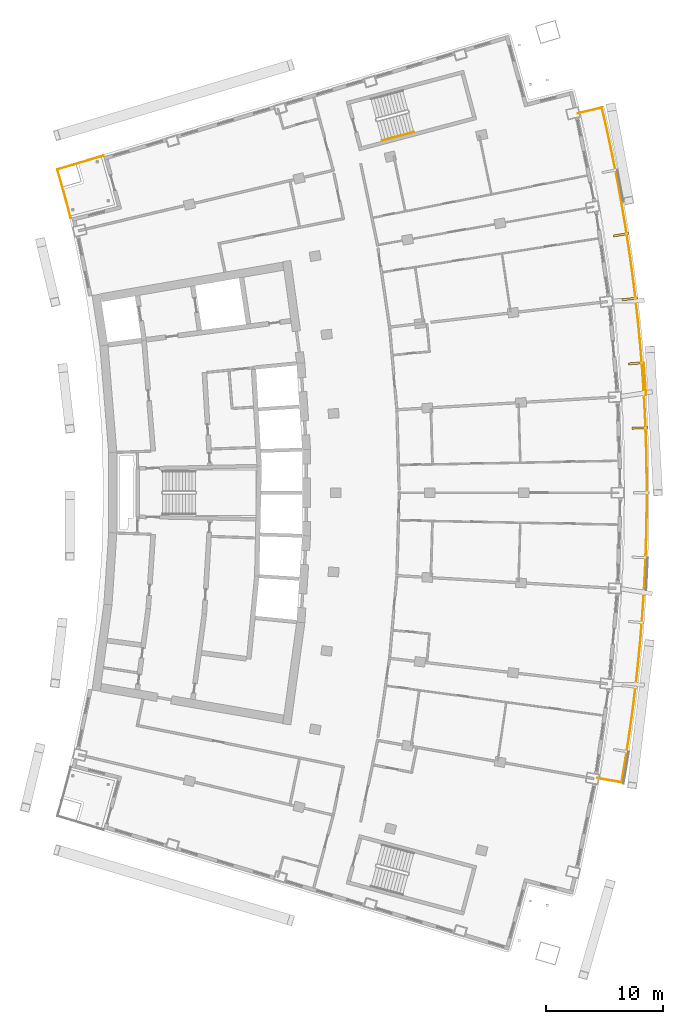
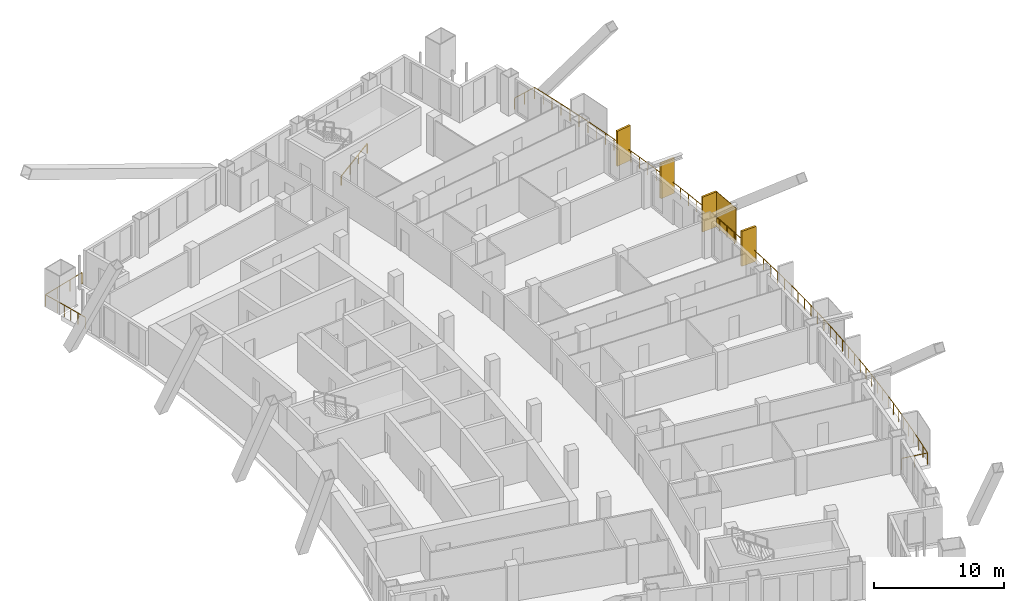
# One storey, part 19 of 20: 5 shading devices, 3 railings.
"""IFC4 building model written with IfcOpenShell, lengths in metres."""

from ifc_helpers import new_model, si_unit, direction, frame, origin, origin_2d, place, context, subcontext, project, spatial, rectangle, extrude, material, layer, layer_set, type_object, element, save


model = new_model("IFC4")

# Units and contexts
model_context = context("Model", 3, precision=1e-05, world=origin(), true_north=direction((0.0, 1.0)))
body_context = subcontext(model_context, "Body", "Model", "MODEL_VIEW")
ifc_project = project(units=[si_unit("LENGTHUNIT", "METRE"), si_unit("AREAUNIT", "SQUARE_METRE"), si_unit("VOLUMEUNIT", "CUBIC_METRE"), si_unit("PLANEANGLEUNIT", "RADIAN"), si_unit("MASSUNIT", "GRAM", prefix="KILO")], contexts=[model_context])

# Site, building, storey
site_placement = place(None, origin())
site = spatial("IfcSite", under=ifc_project, at=site_placement, CompositionType="ELEMENT")
building_placement = place(site_placement, origin())
building = spatial("IfcBuilding", under=site, at=building_placement, Name="Alderwake Tower", CompositionType="ELEMENT")
storey_placement = place(building_placement, frame((0.0, 0.0, 149.60009765625)))
storey = spatial("IfcBuildingStorey", under=building, at=storey_placement, Name="L36", CompositionType="ELEMENT", Elevation=149.60009765625)

# Railings
ifc_material_1 = material(Name="Stainless steel 316 rail and posts", Category="steel")
railing_type_1 = type_object("IfcRailingType", Name="Balcony guard 1100", PredefinedType="GUARDRAIL", material=ifc_material_1)
railing_1_placement = place(storey_placement, frame((58.07568359375, 36.68701171875, 0.0)))
element("IfcRailing", 1, at=railing_1_placement, inside=storey, type_object=railing_type_1, Name="Guard BF04", PredefinedType="GUARDRAIL", context=body_context, shape_type="SweptSolid", body=[
    extrude(rectangle(XDim=0.048095703125, YDim=0.048095703125, at=origin_2d()), frame((0.0, 0.0, 1.076171875), z_axis=(0.984864202872, -0.173327729755, 0.0), x_axis=(0.173327729755, 0.984864202872, 0.0)), (0.0, 0.0, 1.0), 2.10009765625),
    extrude(rectangle(XDim=0.048095703125, YDim=0.048095703125, at=origin_2d()), frame((2.068359375, -0.364013671875, 1.076171875), z_axis=(0.166503332241, 0.986040891826, 0.0), x_axis=(-0.986040891826, 0.166503332241, 0.0)), (0.0, 0.0, 1.0), 1.97509765625),
    extrude(rectangle(XDim=0.048095703125, YDim=0.048095703125, at=origin_2d()), frame((2.397216796875, 1.58349609375, 1.076171875), z_axis=(0.152596463053, 0.988288581065, 0.0), x_axis=(-0.988288581065, 0.152596463053, 0.0)), (0.0, 0.0, 1.0), 2.0751953125),
    extrude(rectangle(XDim=0.048095703125, YDim=0.048095703125, at=origin_2d()), frame((2.7138671875, 3.63427734375, 1.076171875), z_axis=(0.138110156817, 0.990416874141, 0.0), x_axis=(-0.990416874141, 0.138110156817, 0.0)), (0.0, 0.0, 1.0), 2.0751953125),
    extrude(rectangle(XDim=0.048095703125, YDim=0.048095703125, at=origin_2d()), frame((3.00048828125, 5.689697265625, 1.076171875), z_axis=(0.123643785087, 0.992326667186, 0.0), x_axis=(-0.992326667186, 0.123643785087, 0.0)), (0.0, 0.0, 1.0), 2.0751953125),
    extrude(rectangle(XDim=0.048095703125, YDim=0.048095703125, at=origin_2d()), frame((3.257080078125, 7.7490234375, 1.076171875), z_axis=(0.109062650224, 0.994034877822, 0.0), x_axis=(-0.994034877822, 0.109062650224, 0.0)), (0.0, 0.0, 1.0), 2.0751953125),
    extrude(rectangle(XDim=0.048095703125, YDim=0.048095703125, at=origin_2d()), frame((3.4833984375, 9.811767578125, 1.076171875), z_axis=(0.094703608838, 0.99550551303, 0.0), x_axis=(-0.99550551303, 0.094703608838, 0.0)), (0.0, 0.0, 1.0), 2.0751953125),
    extrude(rectangle(XDim=0.048095703125, YDim=0.048095703125, at=origin_2d()), frame((3.679931640625, 11.877685546875, 1.076171875), z_axis=(0.080114603316, 0.996785659174, 0.0), x_axis=(-0.996785659174, 0.080114603316, 0.0)), (0.0, 0.0, 1.0), 2.0751953125),
    extrude(rectangle(XDim=0.048095703125, YDim=0.048095703125, at=origin_2d()), frame((3.84619140625, 13.9462890625, 1.076171875), z_axis=(0.065652181711, 0.997842568262, 0.0), x_axis=(-0.997842568262, 0.065652181711, 0.0)), (0.0, 0.0, 1.0), 2.074951171875),
    extrude(rectangle(XDim=0.048095703125, YDim=0.048095703125, at=origin_2d()), frame((3.982421875, 16.016845703125, 1.076171875), z_axis=(0.050940961426, 0.998701666389, 0.0), x_axis=(-0.998701666389, 0.050940961426, 0.0)), (0.0, 0.0, 1.0), 2.0751953125),
    extrude(rectangle(XDim=0.048095703125, YDim=0.048095703125, at=origin_2d()), frame((4.088134765625, 18.08935546875, 1.076171875), z_axis=(0.03647206835, 0.999334672785, 0.0), x_axis=(-0.999334672785, 0.03647206835, 0.0)), (0.0, 0.0, 1.0), 2.0751953125),
    extrude(rectangle(XDim=0.048095703125, YDim=0.048095703125, at=origin_2d()), frame((4.163818359375, 20.1630859375, 1.076171875), z_axis=(0.021882262081, 0.999760554636, 0.0), x_axis=(-0.999760554636, 0.021882262081, 0.0)), (0.0, 0.0, 1.0), 2.0751953125),
    extrude(rectangle(XDim=0.048095703125, YDim=0.048095703125, at=origin_2d()), frame((4.209228515625, 22.23779296875, 1.076171875), z_axis=(0.007293923616, 0.999973398985, 0.0), x_axis=(-0.999973398985, 0.007293923616, 0.0)), (0.0, 0.0, 1.0), 2.0751953125),
    extrude(rectangle(XDim=0.048095703125, YDim=0.048095703125, at=origin_2d()), frame((4.224365234375, 24.31298828125, 1.076171875), z_axis=(-0.007293923616, 0.999973398985, 0.0), x_axis=(-0.999973398985, -0.007293923616, 0.0)), (0.0, 0.0, 1.0), 2.0751953125),
    extrude(rectangle(XDim=0.048095703125, YDim=0.048095703125, at=origin_2d()), frame((4.209228515625, 26.38818359375, 1.076171875), z_axis=(-0.021882262081, 0.999760554636, 0.0), x_axis=(-0.999760554636, -0.021882262081, 0.0)), (0.0, 0.0, 1.0), 2.0751953125),
    extrude(rectangle(XDim=0.048095703125, YDim=0.048095703125, at=origin_2d()), frame((4.163818359375, 28.462890625, 1.076171875), z_axis=(-0.03647206835, 0.999334672785, 0.0), x_axis=(-0.999334672785, -0.03647206835, 0.0)), (0.0, 0.0, 1.0), 2.0751953125),
    extrude(rectangle(XDim=0.048095703125, YDim=0.048095703125, at=origin_2d()), frame((4.088134765625, 30.53662109375, 1.076171875), z_axis=(-0.050940961426, 0.998701666389, 0.0), x_axis=(-0.998701666389, -0.050940961426, 0.0)), (0.0, 0.0, 1.0), 2.0751953125),
    extrude(rectangle(XDim=0.048095703125, YDim=0.048095703125, at=origin_2d()), frame((3.982421875, 32.609130859375, 1.076171875), z_axis=(-0.065652181711, 0.997842568262, 0.0), x_axis=(-0.997842568262, -0.065652181711, 0.0)), (0.0, 0.0, 1.0), 2.074951171875),
    extrude(rectangle(XDim=0.048095703125, YDim=0.048095703125, at=origin_2d()), frame((3.84619140625, 34.6796875, 1.076171875), z_axis=(-0.080114603316, 0.996785659174, 0.0), x_axis=(-0.996785659174, -0.080114603316, 0.0)), (0.0, 0.0, 1.0), 2.0751953125),
    extrude(rectangle(XDim=0.048095703125, YDim=0.048095703125, at=origin_2d()), frame((3.679931640625, 36.748291015625, 1.076171875), z_axis=(-0.094703608838, 0.99550551303, 0.0), x_axis=(-0.99550551303, -0.094703608838, 0.0)), (0.0, 0.0, 1.0), 2.0751953125),
    extrude(rectangle(XDim=0.048095703125, YDim=0.048095703125, at=origin_2d()), frame((3.4833984375, 38.814208984375, 1.076171875), z_axis=(-0.109062650224, 0.994034877822, 0.0), x_axis=(-0.994034877822, -0.109062650224, 0.0)), (0.0, 0.0, 1.0), 2.0751953125),
    extrude(rectangle(XDim=0.048095703125, YDim=0.048095703125, at=origin_2d()), frame((3.257080078125, 40.876953125, 1.076171875), z_axis=(-0.123643785087, 0.992326667186, 0.0), x_axis=(-0.992326667186, -0.123643785087, 0.0)), (0.0, 0.0, 1.0), 2.0751953125),
    extrude(rectangle(XDim=0.048095703125, YDim=0.048095703125, at=origin_2d()), frame((3.00048828125, 42.936279296875, 1.076171875), z_axis=(-0.138110156817, 0.990416874141, 0.0), x_axis=(-0.990416874141, -0.138110156817, 0.0)), (0.0, 0.0, 1.0), 2.0751953125),
    extrude(rectangle(XDim=0.048095703125, YDim=0.048095703125, at=origin_2d()), frame((2.7138671875, 44.99169921875, 1.076171875), z_axis=(-0.152596463053, 0.988288581065, 0.0), x_axis=(-0.988288581065, -0.152596463053, 0.0)), (0.0, 0.0, 1.0), 2.0751953125),
    extrude(rectangle(XDim=0.048095703125, YDim=0.048095703125, at=origin_2d()), frame((2.397216796875, 47.04248046875, 1.076171875), z_axis=(-0.166821353244, 0.985987137899, 0.0), x_axis=(-0.985987137899, -0.166821353244, 0.0)), (0.0, 0.0, 1.0), 2.0751953125),
    extrude(rectangle(XDim=0.048095703125, YDim=0.048095703125, at=origin_2d()), frame((2.051025390625, 49.088623046875, 1.076171875), z_axis=(-0.181297176514, 0.983428357222, 0.0), x_axis=(-0.983428357222, -0.181297176514, 0.0)), (0.0, 0.0, 1.0), 2.0751953125),
    extrude(rectangle(XDim=0.048095703125, YDim=0.048095703125, at=origin_2d()), frame((1.6748046875, 51.12939453125, 1.076171875), z_axis=(-0.195641013677, 0.980675580285, 0.0), x_axis=(-0.980675580285, -0.195641013677, 0.0)), (0.0, 0.0, 1.0), 2.0751953125),
    extrude(rectangle(XDim=0.048095703125, YDim=0.048095703125, at=origin_2d()), frame((1.268798828125, 53.16455078125, 1.076171875), z_axis=(-0.20987454343, 0.97772832424, 0.0), x_axis=(-0.97772832424, -0.20987454343, 0.0)), (0.0, 0.0, 1.0), 2.0751953125),
    extrude(rectangle(XDim=0.048095703125, YDim=0.048095703125, at=origin_2d()), frame((0.833251953125, 55.193603515625, 1.076171875), z_axis=(-0.22384832601, 0.974623992595, 0.0), x_axis=(-0.974623992595, -0.22384832601, 0.0)), (0.0, 0.0, 1.0), 1.97509765625),
    extrude(rectangle(XDim=0.048095703125, YDim=0.048095703125, at=origin_2d()), frame((0.39111328125, 57.11865234375, 1.076171875), z_axis=(-0.97303154832, -0.230672074545, 0.0), x_axis=(0.230672074545, -0.97303154832, 0.0)), (0.0, 0.0, 1.0), 2.099853515625),
    extrude(rectangle(XDim=0.0419921875, YDim=0.0419921875, at=origin_2d()), frame((0.0, 0.0, 0.0), z_axis=(0.0, 0.0, 1.0), x_axis=(0.984864202872, -0.173327729755, 0.0)), (0.0, 0.0, 1.0), 1.052001953125),
    extrude(rectangle(XDim=0.0419921875, YDim=0.0419921875, at=origin_2d()), frame((1.0341796875, -0.18212890625, 0.0), z_axis=(0.0, 0.0, 1.0), x_axis=(0.984864202872, -0.173327729755, 0.0)), (0.0, 0.0, 1.0), 1.052001953125),
    extrude(rectangle(XDim=0.0419921875, YDim=0.0419921875, at=origin_2d()), frame((2.068359375, -0.364013671875, 0.0), z_axis=(0.0, 0.0, 1.0), x_axis=(0.166503332241, 0.986040891826, 0.0)), (0.0, 0.0, 1.0), 1.052001953125),
    extrude(rectangle(XDim=0.0419921875, YDim=0.0419921875, at=origin_2d()), frame((2.23291015625, 0.60986328125, 0.0), z_axis=(0.0, 0.0, 1.0), x_axis=(0.166503332241, 0.986040891826, 0.0)), (0.0, 0.0, 1.0), 1.052001953125),
    extrude(rectangle(XDim=0.0419921875, YDim=0.0419921875, at=origin_2d()), frame((2.397216796875, 1.58349609375, 0.0), z_axis=(0.0, 0.0, 1.0), x_axis=(0.152596463053, 0.988288581065, 0.0)), (0.0, 0.0, 1.0), 1.052001953125),
    extrude(rectangle(XDim=0.0419921875, YDim=0.0419921875, at=origin_2d()), frame((2.5556640625, 2.60888671875, 0.0), z_axis=(0.0, 0.0, 1.0), x_axis=(0.152596463053, 0.988288581065, 0.0)), (0.0, 0.0, 1.0), 1.052001953125),
    extrude(rectangle(XDim=0.0419921875, YDim=0.0419921875, at=origin_2d()), frame((2.7138671875, 3.63427734375, 0.0), z_axis=(0.0, 0.0, 1.0), x_axis=(0.138110156817, 0.990416874141, 0.0)), (0.0, 0.0, 1.0), 1.052001953125),
    extrude(rectangle(XDim=0.0419921875, YDim=0.0419921875, at=origin_2d()), frame((2.857177734375, 4.662109375, 0.0), z_axis=(0.0, 0.0, 1.0), x_axis=(0.138110156817, 0.990416874141, 0.0)), (0.0, 0.0, 1.0), 1.052001953125),
    extrude(rectangle(XDim=0.0419921875, YDim=0.0419921875, at=origin_2d()), frame((3.00048828125, 5.689697265625, 0.0), z_axis=(0.0, 0.0, 1.0), x_axis=(0.123643785087, 0.992326667186, 0.0)), (0.0, 0.0, 1.0), 1.052001953125),
    extrude(rectangle(XDim=0.0419921875, YDim=0.0419921875, at=origin_2d()), frame((3.12890625, 6.71923828125, 0.0), z_axis=(0.0, 0.0, 1.0), x_axis=(0.123643785087, 0.992326667186, 0.0)), (0.0, 0.0, 1.0), 1.052001953125),
    extrude(rectangle(XDim=0.0419921875, YDim=0.0419921875, at=origin_2d()), frame((3.257080078125, 7.7490234375, 0.0), z_axis=(0.0, 0.0, 1.0), x_axis=(0.109062650224, 0.994034877822, 0.0)), (0.0, 0.0, 1.0), 1.052001953125),
    extrude(rectangle(XDim=0.0419921875, YDim=0.0419921875, at=origin_2d()), frame((3.3701171875, 8.7802734375, 0.0), z_axis=(0.0, 0.0, 1.0), x_axis=(0.109062650224, 0.994034877822, 0.0)), (0.0, 0.0, 1.0), 1.052001953125),
    extrude(rectangle(XDim=0.0419921875, YDim=0.0419921875, at=origin_2d()), frame((3.4833984375, 9.811767578125, 0.0), z_axis=(0.0, 0.0, 1.0), x_axis=(0.094703608838, 0.99550551303, 0.0)), (0.0, 0.0, 1.0), 1.052001953125),
    extrude(rectangle(XDim=0.0419921875, YDim=0.0419921875, at=origin_2d()), frame((3.58154296875, 10.8447265625, 0.0), z_axis=(0.0, 0.0, 1.0), x_axis=(0.094703608838, 0.99550551303, 0.0)), (0.0, 0.0, 1.0), 1.052001953125),
    extrude(rectangle(XDim=0.0419921875, YDim=0.0419921875, at=origin_2d()), frame((3.679931640625, 11.877685546875, 0.0), z_axis=(0.0, 0.0, 1.0), x_axis=(0.080114603316, 0.996785659174, 0.0)), (0.0, 0.0, 1.0), 1.052001953125),
    extrude(rectangle(XDim=0.0419921875, YDim=0.0419921875, at=origin_2d()), frame((3.76318359375, 12.912109375, 0.0), z_axis=(0.0, 0.0, 1.0), x_axis=(0.080114603316, 0.996785659174, 0.0)), (0.0, 0.0, 1.0), 1.052001953125),
    extrude(rectangle(XDim=0.0419921875, YDim=0.0419921875, at=origin_2d()), frame((3.84619140625, 13.9462890625, 0.0), z_axis=(0.0, 0.0, 1.0), x_axis=(0.065652181711, 0.997842568262, 0.0)), (0.0, 0.0, 1.0), 1.052001953125),
    extrude(rectangle(XDim=0.0419921875, YDim=0.0419921875, at=origin_2d()), frame((3.914306640625, 14.9814453125, 0.0), z_axis=(0.0, 0.0, 1.0), x_axis=(0.065652181711, 0.997842568262, 0.0)), (0.0, 0.0, 1.0), 1.052001953125),
    extrude(rectangle(XDim=0.0419921875, YDim=0.0419921875, at=origin_2d()), frame((3.982421875, 16.016845703125, 0.0), z_axis=(0.0, 0.0, 1.0), x_axis=(0.050940961426, 0.998701666389, 0.0)), (0.0, 0.0, 1.0), 1.052001953125),
    extrude(rectangle(XDim=0.0419921875, YDim=0.0419921875, at=origin_2d()), frame((4.03515625, 17.05322265625, 0.0), z_axis=(0.0, 0.0, 1.0), x_axis=(0.050940961426, 0.998701666389, 0.0)), (0.0, 0.0, 1.0), 1.052001953125),
    extrude(rectangle(XDim=0.0419921875, YDim=0.0419921875, at=origin_2d()), frame((4.088134765625, 18.08935546875, 0.0), z_axis=(0.0, 0.0, 1.0), x_axis=(0.03647206835, 0.999334672785, 0.0)), (0.0, 0.0, 1.0), 1.052001953125),
    extrude(rectangle(XDim=0.0419921875, YDim=0.0419921875, at=origin_2d()), frame((4.1259765625, 19.126220703125, 0.0), z_axis=(0.0, 0.0, 1.0), x_axis=(0.03647206835, 0.999334672785, 0.0)), (0.0, 0.0, 1.0), 1.052001953125),
    extrude(rectangle(XDim=0.0419921875, YDim=0.0419921875, at=origin_2d()), frame((4.163818359375, 20.1630859375, 0.0), z_axis=(0.0, 0.0, 1.0), x_axis=(0.021882262081, 0.999760554636, 0.0)), (0.0, 0.0, 1.0), 1.052001953125),
    extrude(rectangle(XDim=0.0419921875, YDim=0.0419921875, at=origin_2d()), frame((4.1865234375, 21.200439453125, 0.0), z_axis=(0.0, 0.0, 1.0), x_axis=(0.021882262081, 0.999760554636, 0.0)), (0.0, 0.0, 1.0), 1.052001953125),
    extrude(rectangle(XDim=0.0419921875, YDim=0.0419921875, at=origin_2d()), frame((4.209228515625, 22.23779296875, 0.0), z_axis=(0.0, 0.0, 1.0), x_axis=(0.007293923616, 0.999973398985, 0.0)), (0.0, 0.0, 1.0), 1.052001953125),
    extrude(rectangle(XDim=0.0419921875, YDim=0.0419921875, at=origin_2d()), frame((4.216796875, 23.275390625, 0.0), z_axis=(0.0, 0.0, 1.0), x_axis=(0.007293923616, 0.999973398985, 0.0)), (0.0, 0.0, 1.0), 1.052001953125),
    extrude(rectangle(XDim=0.0419921875, YDim=0.0419921875, at=origin_2d()), frame((4.224365234375, 24.31298828125, 0.0), z_axis=(0.0, 0.0, 1.0), x_axis=(-0.007293923616, 0.999973398985, 0.0)), (0.0, 0.0, 1.0), 1.052001953125),
    extrude(rectangle(XDim=0.0419921875, YDim=0.0419921875, at=origin_2d()), frame((4.216796875, 25.3505859375, 0.0), z_axis=(0.0, 0.0, 1.0), x_axis=(-0.007293923616, 0.999973398985, 0.0)), (0.0, 0.0, 1.0), 1.052001953125),
    extrude(rectangle(XDim=0.0419921875, YDim=0.0419921875, at=origin_2d()), frame((4.209228515625, 26.38818359375, 0.0), z_axis=(0.0, 0.0, 1.0), x_axis=(-0.021882262081, 0.999760554636, 0.0)), (0.0, 0.0, 1.0), 1.052001953125),
    extrude(rectangle(XDim=0.0419921875, YDim=0.0419921875, at=origin_2d()), frame((4.1865234375, 27.425537109375, 0.0), z_axis=(0.0, 0.0, 1.0), x_axis=(-0.021882262081, 0.999760554636, 0.0)), (0.0, 0.0, 1.0), 1.052001953125),
    extrude(rectangle(XDim=0.0419921875, YDim=0.0419921875, at=origin_2d()), frame((4.163818359375, 28.462890625, 0.0), z_axis=(0.0, 0.0, 1.0), x_axis=(-0.03647206835, 0.999334672785, 0.0)), (0.0, 0.0, 1.0), 1.052001953125),
    extrude(rectangle(XDim=0.0419921875, YDim=0.0419921875, at=origin_2d()), frame((4.1259765625, 29.499755859375, 0.0), z_axis=(0.0, 0.0, 1.0), x_axis=(-0.03647206835, 0.999334672785, 0.0)), (0.0, 0.0, 1.0), 1.052001953125),
    extrude(rectangle(XDim=0.0419921875, YDim=0.0419921875, at=origin_2d()), frame((4.088134765625, 30.53662109375, 0.0), z_axis=(0.0, 0.0, 1.0), x_axis=(-0.050940961426, 0.998701666389, 0.0)), (0.0, 0.0, 1.0), 1.052001953125),
    extrude(rectangle(XDim=0.0419921875, YDim=0.0419921875, at=origin_2d()), frame((4.03515625, 31.57275390625, 0.0), z_axis=(0.0, 0.0, 1.0), x_axis=(-0.050940961426, 0.998701666389, 0.0)), (0.0, 0.0, 1.0), 1.052001953125),
    extrude(rectangle(XDim=0.0419921875, YDim=0.0419921875, at=origin_2d()), frame((3.982421875, 32.609130859375, 0.0), z_axis=(0.0, 0.0, 1.0), x_axis=(-0.065652181711, 0.997842568262, 0.0)), (0.0, 0.0, 1.0), 1.052001953125),
    extrude(rectangle(XDim=0.0419921875, YDim=0.0419921875, at=origin_2d()), frame((3.914306640625, 33.64453125, 0.0), z_axis=(0.0, 0.0, 1.0), x_axis=(-0.065652181711, 0.997842568262, 0.0)), (0.0, 0.0, 1.0), 1.052001953125),
    extrude(rectangle(XDim=0.0419921875, YDim=0.0419921875, at=origin_2d()), frame((3.84619140625, 34.6796875, 0.0), z_axis=(0.0, 0.0, 1.0), x_axis=(-0.080114603316, 0.996785659174, 0.0)), (0.0, 0.0, 1.0), 1.052001953125),
    extrude(rectangle(XDim=0.0419921875, YDim=0.0419921875, at=origin_2d()), frame((3.76318359375, 35.7138671875, 0.0), z_axis=(0.0, 0.0, 1.0), x_axis=(-0.080114603316, 0.996785659174, 0.0)), (0.0, 0.0, 1.0), 1.052001953125),
    extrude(rectangle(XDim=0.0419921875, YDim=0.0419921875, at=origin_2d()), frame((3.679931640625, 36.748291015625, 0.0), z_axis=(0.0, 0.0, 1.0), x_axis=(-0.094703608838, 0.99550551303, 0.0)), (0.0, 0.0, 1.0), 1.052001953125),
    extrude(rectangle(XDim=0.0419921875, YDim=0.0419921875, at=origin_2d()), frame((3.58154296875, 37.78125, 0.0), z_axis=(0.0, 0.0, 1.0), x_axis=(-0.094703608838, 0.99550551303, 0.0)), (0.0, 0.0, 1.0), 1.052001953125),
    extrude(rectangle(XDim=0.0419921875, YDim=0.0419921875, at=origin_2d()), frame((3.4833984375, 38.814208984375, 0.0), z_axis=(0.0, 0.0, 1.0), x_axis=(-0.109062650224, 0.994034877822, 0.0)), (0.0, 0.0, 1.0), 1.052001953125),
    extrude(rectangle(XDim=0.0419921875, YDim=0.0419921875, at=origin_2d()), frame((3.3701171875, 39.845703125, 0.0), z_axis=(0.0, 0.0, 1.0), x_axis=(-0.109062650224, 0.994034877822, 0.0)), (0.0, 0.0, 1.0), 1.052001953125),
    extrude(rectangle(XDim=0.0419921875, YDim=0.0419921875, at=origin_2d()), frame((3.257080078125, 40.876953125, 0.0), z_axis=(0.0, 0.0, 1.0), x_axis=(-0.123643785087, 0.992326667186, 0.0)), (0.0, 0.0, 1.0), 1.052001953125),
    extrude(rectangle(XDim=0.0419921875, YDim=0.0419921875, at=origin_2d()), frame((3.12890625, 41.90673828125, 0.0), z_axis=(0.0, 0.0, 1.0), x_axis=(-0.123643785087, 0.992326667186, 0.0)), (0.0, 0.0, 1.0), 1.052001953125),
    extrude(rectangle(XDim=0.0419921875, YDim=0.0419921875, at=origin_2d()), frame((3.00048828125, 42.936279296875, 0.0), z_axis=(0.0, 0.0, 1.0), x_axis=(-0.138110156817, 0.990416874141, 0.0)), (0.0, 0.0, 1.0), 1.052001953125),
    extrude(rectangle(XDim=0.0419921875, YDim=0.0419921875, at=origin_2d()), frame((2.857177734375, 43.9638671875, 0.0), z_axis=(0.0, 0.0, 1.0), x_axis=(-0.138110156817, 0.990416874141, 0.0)), (0.0, 0.0, 1.0), 1.052001953125),
    extrude(rectangle(XDim=0.0419921875, YDim=0.0419921875, at=origin_2d()), frame((2.7138671875, 44.99169921875, 0.0), z_axis=(0.0, 0.0, 1.0), x_axis=(-0.152596463053, 0.988288581065, 0.0)), (0.0, 0.0, 1.0), 1.052001953125),
    extrude(rectangle(XDim=0.0419921875, YDim=0.0419921875, at=origin_2d()), frame((2.5556640625, 46.01708984375, 0.0), z_axis=(0.0, 0.0, 1.0), x_axis=(-0.152596463053, 0.988288581065, 0.0)), (0.0, 0.0, 1.0), 1.052001953125),
    extrude(rectangle(XDim=0.0419921875, YDim=0.0419921875, at=origin_2d()), frame((2.397216796875, 47.04248046875, 0.0), z_axis=(0.0, 0.0, 1.0), x_axis=(-0.166821353244, 0.985987137899, 0.0)), (0.0, 0.0, 1.0), 1.052001953125),
    extrude(rectangle(XDim=0.0419921875, YDim=0.0419921875, at=origin_2d()), frame((2.22412109375, 48.0654296875, 0.0), z_axis=(0.0, 0.0, 1.0), x_axis=(-0.166821353244, 0.985987137899, 0.0)), (0.0, 0.0, 1.0), 1.052001953125),
    extrude(rectangle(XDim=0.0419921875, YDim=0.0419921875, at=origin_2d()), frame((2.051025390625, 49.088623046875, 0.0), z_axis=(0.0, 0.0, 1.0), x_axis=(-0.181297176514, 0.983428357222, 0.0)), (0.0, 0.0, 1.0), 1.052001953125),
    extrude(rectangle(XDim=0.0419921875, YDim=0.0419921875, at=origin_2d()), frame((1.86279296875, 50.10888671875, 0.0), z_axis=(0.0, 0.0, 1.0), x_axis=(-0.181297176514, 0.983428357222, 0.0)), (0.0, 0.0, 1.0), 1.052001953125),
    extrude(rectangle(XDim=0.0419921875, YDim=0.0419921875, at=origin_2d()), frame((1.6748046875, 51.12939453125, 0.0), z_axis=(0.0, 0.0, 1.0), x_axis=(-0.195641013677, 0.980675580285, 0.0)), (0.0, 0.0, 1.0), 1.052001953125),
    extrude(rectangle(XDim=0.0419921875, YDim=0.0419921875, at=origin_2d()), frame((1.4716796875, 52.14697265625, 0.0), z_axis=(0.0, 0.0, 1.0), x_axis=(-0.195641013677, 0.980675580285, 0.0)), (0.0, 0.0, 1.0), 1.052001953125),
    extrude(rectangle(XDim=0.0419921875, YDim=0.0419921875, at=origin_2d()), frame((1.268798828125, 53.16455078125, 0.0), z_axis=(0.0, 0.0, 1.0), x_axis=(-0.20987454343, 0.97772832424, 0.0)), (0.0, 0.0, 1.0), 1.052001953125),
    extrude(rectangle(XDim=0.0419921875, YDim=0.0419921875, at=origin_2d()), frame((1.051025390625, 54.17919921875, 0.0), z_axis=(0.0, 0.0, 1.0), x_axis=(-0.20987454343, 0.97772832424, 0.0)), (0.0, 0.0, 1.0), 1.052001953125),
    extrude(rectangle(XDim=0.0419921875, YDim=0.0419921875, at=origin_2d()), frame((0.833251953125, 55.193603515625, 0.0), z_axis=(0.0, 0.0, 1.0), x_axis=(-0.22384832601, 0.974623992595, 0.0)), (0.0, 0.0, 1.0), 1.052001953125),
    extrude(rectangle(XDim=0.0419921875, YDim=0.0419921875, at=origin_2d()), frame((0.6123046875, 56.15625, 0.0), z_axis=(0.0, 0.0, 1.0), x_axis=(-0.22384832601, 0.974623992595, 0.0)), (0.0, 0.0, 1.0), 1.052001953125),
    extrude(rectangle(XDim=0.0419921875, YDim=0.0419921875, at=origin_2d()), frame((0.39111328125, 57.11865234375, 0.0), z_axis=(0.0, 0.0, 1.0), x_axis=(-0.97303154832, -0.230672074545, 0.0)), (0.0, 0.0, 1.0), 1.052001953125),
    extrude(rectangle(XDim=0.0419921875, YDim=0.0419921875, at=origin_2d()), frame((-0.63037109375, 56.87646484375, 0.0), z_axis=(0.0, 0.0, 1.0), x_axis=(-0.97303154832, -0.230672074545, 0.0)), (0.0, 0.0, 1.0), 1.052001953125),
    extrude(rectangle(XDim=0.0419921875, YDim=0.0419921875, at=origin_2d()), frame((-1.652099609375, 56.63427734375, 0.0), z_axis=(0.0, 0.0, 1.0), x_axis=(-0.97303154832, -0.230672074545, 0.0)), (0.0, 0.0, 1.0), 1.052001953125),
])
railing_2_placement = place(storey_placement, frame((13.210693359375, 84.387451171875, 0.0)))
element("IfcRailing", 2, at=railing_2_placement, inside=storey, type_object=railing_type_1, Name="Guard terrace RN", PredefinedType="GUARDRAIL", context=body_context, shape_type="SweptSolid", body=[
    extrude(rectangle(XDim=0.048095703125, YDim=0.048095703125, at=origin_2d()), frame((0.0, 0.0, 1.076171875), z_axis=(-0.251385381433, 0.967887075026, 0.0), x_axis=(-0.967887075026, -0.251385381433, 0.0)), (0.0, 0.0, 1.0), 1.6015625),
    extrude(rectangle(XDim=0.048095703125, YDim=0.048095703125, at=origin_2d()), frame((-0.402587890625, 1.550048828125, 1.076171875), z_axis=(-0.266520638672, 0.963829211615, 0.0), x_axis=(-0.963829211615, -0.266520638672, 0.0)), (0.0, 0.0, 1.0), 1.401611328125),
    extrude(rectangle(XDim=0.048095703125, YDim=0.048095703125, at=origin_2d()), frame((-0.776123046875, 2.90087890625, 1.076171875), z_axis=(-0.280093650878, 0.959972680204, 0.0), x_axis=(-0.959972680204, -0.280093650878, 0.0)), (0.0, 0.0, 1.0), 1.30126953125),
    extrude(rectangle(XDim=0.048095703125, YDim=0.048095703125, at=origin_2d()), frame((-1.140625, 4.150146484375, 1.076171875), z_axis=(0.958066871889, 0.286544706789, 0.0), x_axis=(-0.286544706789, 0.958066871889, 0.0)), (0.0, 0.0, 1.0), 4.099853515625),
    extrude(rectangle(XDim=0.0419921875, YDim=0.0419921875, at=origin_2d()), frame((0.0, 0.0, 0.0), z_axis=(0.0, 0.0, 1.0), x_axis=(-0.251385381433, 0.967887075026, 0.0)), (0.0, 0.0, 1.0), 1.052001953125),
    extrude(rectangle(XDim=0.0419921875, YDim=0.0419921875, at=origin_2d()), frame((-0.201171875, 0.77490234375, 0.0), z_axis=(0.0, 0.0, 1.0), x_axis=(-0.251385381433, 0.967887075026, 0.0)), (0.0, 0.0, 1.0), 1.052001953125),
    extrude(rectangle(XDim=0.0419921875, YDim=0.0419921875, at=origin_2d()), frame((-0.402587890625, 1.550048828125, 0.0), z_axis=(0.0, 0.0, 1.0), x_axis=(-0.266520638672, 0.963829211615, 0.0)), (0.0, 0.0, 1.0), 1.052001953125),
    extrude(rectangle(XDim=0.0419921875, YDim=0.0419921875, at=origin_2d()), frame((-0.58935546875, 2.2255859375, 0.0), z_axis=(0.0, 0.0, 1.0), x_axis=(-0.266520638672, 0.963829211615, 0.0)), (0.0, 0.0, 1.0), 1.052001953125),
    extrude(rectangle(XDim=0.0419921875, YDim=0.0419921875, at=origin_2d()), frame((-0.776123046875, 2.90087890625, 0.0), z_axis=(0.0, 0.0, 1.0), x_axis=(-0.280093650878, 0.959972680204, 0.0)), (0.0, 0.0, 1.0), 1.052001953125),
    extrude(rectangle(XDim=0.0419921875, YDim=0.0419921875, at=origin_2d()), frame((-1.140625, 4.150146484375, 0.0), z_axis=(0.0, 0.0, 1.0), x_axis=(0.958066871889, 0.286544706789, 0.0)), (0.0, 0.0, 1.0), 1.052001953125),
    extrude(rectangle(XDim=0.0419921875, YDim=0.0419921875, at=origin_2d()), frame((0.168701171875, 4.541748046875, 0.0), z_axis=(0.0, 0.0, 1.0), x_axis=(0.958066871889, 0.286544706789, 0.0)), (0.0, 0.0, 1.0), 1.052001953125),
    extrude(rectangle(XDim=0.0419921875, YDim=0.0419921875, at=origin_2d()), frame((1.47802734375, 4.933349609375, 0.0), z_axis=(0.0, 0.0, 1.0), x_axis=(0.958066871889, 0.286544706789, 0.0)), (0.0, 0.0, 1.0), 1.052001953125),
    extrude(rectangle(XDim=0.0419921875, YDim=0.0419921875, at=origin_2d()), frame((2.787353515625, 5.324951171875, 0.0), z_axis=(0.0, 0.0, 1.0), x_axis=(0.958066871889, 0.286544706789, 0.0)), (0.0, 0.0, 1.0), 1.052001953125),
])

# Shading devices
ifc_material_2 = material(Name="Bronze anodised aluminium", Category="aluminium")
ifc_layer_1 = layer(ifc_material_2, 0.179931640625)
ifc_layer_set_1 = layer_set([ifc_layer_1], Name="Facade fin 1300")
shading_device_type_1 = type_object("IfcShadingDeviceType", Name="Facade fin 1300", PredefinedType="USERDEFINED", material=ifc_layer_set_1)
for number, where, z_axis, x_axis, name in (
    (3, (61.692626953125, 66.5146484375, 0.0), (0.0, 0.0, 1.0), (0.999243494356, 0.038890088543, 0.0), "Fin"),
    (4, (61.37109375, 72.02099609375, 0.0), (0.0, 0.0, 1.0), (0.996975122026, 0.077721335943, 0.0), "Fin"),
    (5, (60.83544921875, 77.510498046875, 0.0), (0.0, 0.0, 1.0), (0.993198315083, 0.116434990084, 0.0), "Fin"),
    (6, (60.0869140625, 82.97509765625, 0.0), (0.0, 0.0, 1.0), (0.987918787879, 0.154972476771, 0.0), "Fin"),
):
    element("IfcShadingDevice", number, at=place(storey_placement, frame(where, z_axis=z_axis, x_axis=x_axis)), inside=storey, type_object=shading_device_type_1, Name=name, ObjectType="FIN", PredefinedType="USERDEFINED", context=body_context, shape_type="SweptSolid", body=[
        extrude(rectangle(XDim=1.300048828125, YDim=0.179931640625, at=origin_2d()), origin(), (0.0, 0.0, 1.0), 3.280029296875),
    ])
ifc_material_3 = material(Name="Perforated bronze anodised aluminium", Category="aluminium")
ifc_layer_2 = layer(ifc_material_3, 0.050048828125)
ifc_layer_set_2 = layer_set([ifc_layer_2], Name="Perforated screen panel")
shading_device_type_2 = type_object("IfcShadingDeviceType", Name="Perforated screen panel", PredefinedType="USERDEFINED", material=ifc_layer_set_2)
shading_device_placement = place(storey_placement, frame((62.138427734375, 70.6875, 0.0), z_axis=(0.0, 0.0, 1.0), x_axis=(0.997685465774, 0.067997877779, 0.0)))
element("IfcShadingDevice", 7, at=shading_device_placement, inside=storey, type_object=shading_device_type_2, Name="Screen panel", ObjectType="SCREEN", PredefinedType="USERDEFINED", context=body_context, shape_type="SweptSolid", body=[
    extrude(rectangle(XDim=0.050048828125, YDim=2.7783203125, at=origin_2d()), origin(), (0.0, 0.0, 1.0), 3.280029296875),
])

# Railing
ifc_material_4 = material(Name="Stainless steel handrail", Category="steel")
railing_type_2 = type_object("IfcRailingType", Name="Stair handrail 900", PredefinedType="HANDRAIL", material=ifc_material_4)
railing_3_placement = place(storey_placement, frame((39.731689453125, 91.002685546875, 0.16357421875)))
element("IfcRailing", 8, at=railing_3_placement, inside=storey, type_object=railing_type_2, Name="L36 ST-A stair handrail 1", PredefinedType="HANDRAIL", context=body_context, shape_type="SweptSolid", body=[
    extrude(rectangle(XDim=0.048095703125, YDim=0.048095703125, at=origin_2d()), frame((0.0, 0.0, 0.8759765625), z_axis=(0.834290631165, 0.222236594766, 0.504549342183), x_axis=(-0.257402139082, 0.966304371715, 0.0)), (0.0, 0.0, 1.0), 3.242919921875),
    extrude(rectangle(XDim=0.0419921875, YDim=0.0419921875, at=origin_2d()), frame((0.0, 0.0, 0.0), z_axis=(0.0, 0.0, 1.0), x_axis=(0.966304371715, 0.257402139082, 0.0)), (0.0, 0.0, 1.0), 0.851806640625),
    extrude(rectangle(XDim=0.0419921875, YDim=0.0419921875, at=origin_2d()), frame((0.90185546875, 0.240234375, 0.54541015625), z_axis=(0.0, 0.0, 1.0), x_axis=(0.966304371715, 0.257402139082, 0.0)), (0.0, 0.0, 1.0), 0.851806640625),
    extrude(rectangle(XDim=0.0419921875, YDim=0.0419921875, at=origin_2d()), frame((1.8037109375, 0.48046875, 1.0908203125), z_axis=(0.0, 0.0, 1.0), x_axis=(0.966304371715, 0.257402139082, 0.0)), (0.0, 0.0, 1.0), 0.851806640625),
    extrude(rectangle(XDim=0.0419921875, YDim=0.0419921875, at=origin_2d()), frame((2.70556640625, 0.720703125, 1.63623046875), z_axis=(0.0, 0.0, 1.0), x_axis=(0.966304371715, 0.257402139082, 0.0)), (0.0, 0.0, 1.0), 0.851806640625),
])

save(model, "model.ifc")
